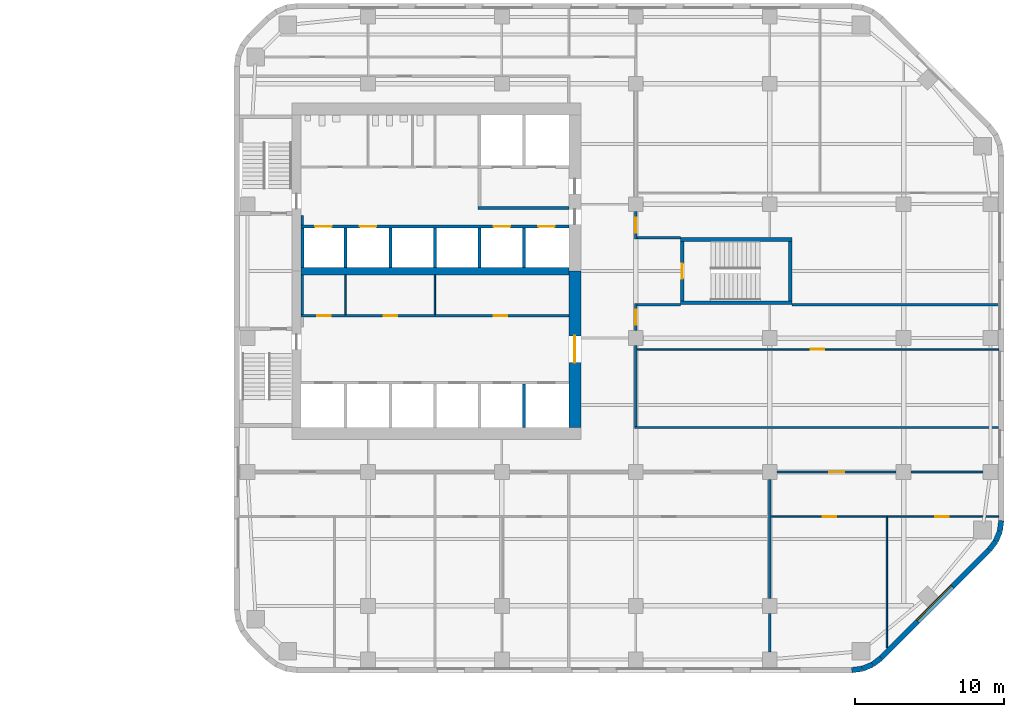
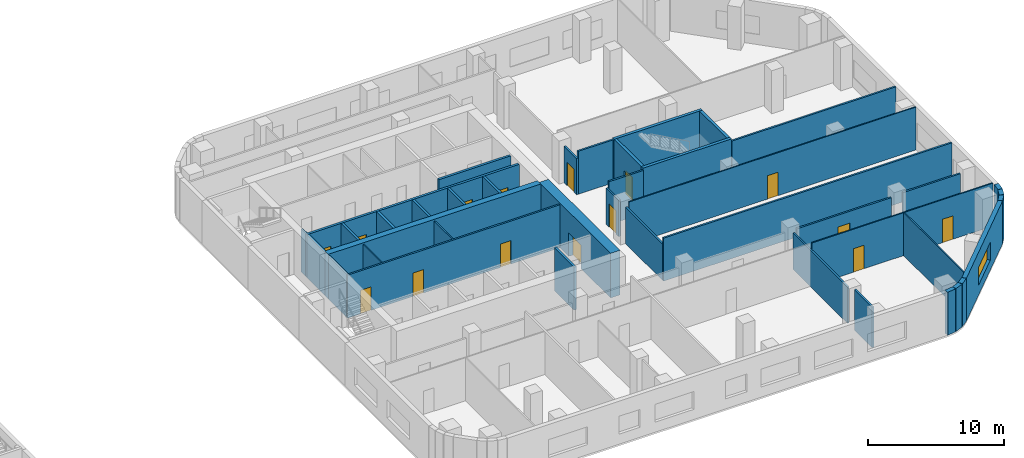
# One storey, part 9 of 15: 41 walls, 15 doors, 1 window, 16 openings.
"""IFC4 building model written with IfcOpenShell, lengths in metres."""

from ifc_helpers import new_model, si_unit, direction, frame, frame_2d, origin, place, context, subcontext, project, spatial, rectangle, extrude, material, layer, layer_set, type_object, element, fill, save


model = new_model("IFC4")

# Units and contexts
model_context = context("Model", 3, precision=1e-05, world=origin(), true_north=direction((0.0, 1.0)))
body_context = subcontext(model_context, "Body", "Model", "MODEL_VIEW")
ifc_project = project(units=[si_unit("LENGTHUNIT", "METRE"), si_unit("AREAUNIT", "SQUARE_METRE"), si_unit("VOLUMEUNIT", "CUBIC_METRE"), si_unit("PLANEANGLEUNIT", "RADIAN"), si_unit("MASSUNIT", "GRAM", prefix="KILO")], contexts=[model_context])

# Site, building, storey
site_placement = place(None, origin())
site = spatial("IfcSite", under=ifc_project, at=site_placement, CompositionType="ELEMENT")
building_placement = place(site_placement, origin())
building = spatial("IfcBuilding", under=site, at=building_placement, Name="Cinnabar Reach Civic Tower", CompositionType="ELEMENT")
storey_placement = place(building_placement, frame((0.0, 0.0, 120.0)))
storey = spatial("IfcBuildingStorey", under=building, at=storey_placement, Name="L28", CompositionType="ELEMENT", Elevation=120.0)

# Walls
ifc_material_1 = material(Name="Facing brick with insulated backing", Category="masonry")
ifc_layer_1 = layer(ifc_material_1, 0.36)
ifc_layer_set_1 = layer_set([ifc_layer_1], Name="Brick corner wall")
wall_type_1 = type_object("IfcWallType", Name="Brick corner wall", PredefinedType="STANDARD", material=ifc_layer_set_1)
for number, where, z_axis, x_axis, name in (
    (1, (41.5186, 4.683, 0.0), (0.0, 0.0, 1.0), (0.99144092581, 0.13055608231, 0.0), "Brick corner wall"),
    (2, (42.2473, 4.7819, 0.0), (0.0, 0.0, 1.0), (0.923871547278, 0.382702709855, 0.0), "Brick corner wall"),
):
    element("IfcWall", number, at=place(storey_placement, frame(where, z_axis=z_axis, x_axis=x_axis)), inside=storey, type_object=wall_type_1, Name=name, PredefinedType="STANDARD", context=body_context, shape_type="SweptSolid", body=[
        extrude(rectangle(XDim=0.7131, YDim=0.36, at=frame_2d((0.3565, 0.0))), origin(), (0.0, 0.0, 1.0), 3.85),
    ])
for number, where, z_axis, x_axis, name in (
    (3, (42.9255, 5.066, 0.0), (0.0, 0.0, 1.0), (0.793321924995, 0.608802368033, 0.0), "Brick corner wall"),
    (4, (50.7498, 12.7587, 0.0), (0.0, 0.0, 1.0), (0.608802368033, 0.793321924995, 0.0), "Brick corner wall"),
):
    element("IfcWall", number, at=place(storey_placement, frame(where, z_axis=z_axis, x_axis=x_axis)), inside=storey, type_object=wall_type_1, Name=name, PredefinedType="STANDARD", context=body_context, shape_type="SweptSolid", body=[
        extrude(rectangle(XDim=0.7132, YDim=0.36, at=frame_2d((0.3566, 0.0))), origin(), (0.0, 0.0, 1.0), 3.85),
    ])
for number, where, z_axis, x_axis, name in (
    (5, (51.1952, 13.3439, 0.0), (0.0, 0.0, 1.0), (0.382702709855, 0.923871547278, 0.0), "Brick corner wall"),
    (6, (51.4739, 14.0244, 0.0), (0.0, 0.0, 1.0), (0.13055608231, 0.99144092581, 0.0), "Brick corner wall"),
):
    element("IfcWall", number, at=place(storey_placement, frame(where, z_axis=z_axis, x_axis=x_axis)), inside=storey, type_object=wall_type_1, Name=name, PredefinedType="STANDARD", context=body_context, shape_type="SweptSolid", body=[
        extrude(rectangle(XDim=0.7131, YDim=0.36, at=frame_2d((0.3565, 0.0))), origin(), (0.0, 0.0, 1.0), 3.85),
    ])

# Wall, opening, window
ifc_layer_2 = layer(ifc_material_1, 0.36)
ifc_layer_set_2 = layer_set([ifc_layer_2], Name="Brick pier and spandrel wall")
wall_type_2 = type_object("IfcWallType", Name="Brick pier and spandrel wall", PredefinedType="STANDARD", material=ifc_layer_set_2)
wall_1_placement = place(storey_placement, frame((43.5014, 5.506, 0.0), z_axis=(0.0, 0.0, 1.0), x_axis=(0.707106781187, 0.707106781187, 0.0)))
wall_1 = element("IfcWall", 7, at=wall_1_placement, inside=storey, type_object=wall_type_2, Name="Brick facade wall", PredefinedType="STANDARD", context=body_context, shape_type="SweptSolid", body=[
    extrude(rectangle(XDim=10.2426, YDim=0.36, at=frame_2d((5.1213, 0.0))), origin(), (0.0, 0.0, 1.0), 3.85),
])
opening_1_placement = place(wall_1_placement, frame((3.4713, 0.0, 0.9)))
opening_1 = element("IfcOpeningElement", 8, at=opening_1_placement, cuts=wall_1, Name="Opening W1596", PredefinedType="OPENING", context=body_context, shape_type="SweptSolid", body=[
    extrude(rectangle(XDim=3.3, YDim=1.6, at=frame_2d((1.65, 0.8))), frame((0.0, 0.19, 0.0), z_axis=(0.0, -1.0, 0.0), x_axis=(1.0, 0.0, 0.0)), (0.0, 0.0, 1.0), 0.38),
])
ifc_material_2 = material(Name="Clear double glazing in aluminium frame", Category="aluminium")
window_type = type_object("IfcWindowType", Name="Deep-set window A", PartitioningType="SINGLE_PANEL", PredefinedType="WINDOW", material=ifc_material_2)
window_placement = place(opening_1_placement, origin())
window = element("IfcWindow", 9, at=window_placement, inside=storey, type_object=window_type, Name="Window southeast face", OverallHeight=1.6, OverallWidth=3.3, PartitioningType="SINGLE_PANEL", PredefinedType="WINDOW", context=body_context, shape_type="SweptSolid", body=[
    extrude(rectangle(XDim=3.3, YDim=1.6, at=frame_2d((1.65, 0.8))), frame((0.0, 0.13, 0.0), z_axis=(0.0, -1.0, 0.0), x_axis=(1.0, 0.0, 0.0)), (0.0, 0.0, 1.0), 0.06),
])
fill(opening_1, window)

# Wall
ifc_material_3 = material(Name="Concrete C60", Category="concrete")
ifc_layer_3 = layer(ifc_material_3, 0.5)
ifc_layer_set_3 = layer_set([ifc_layer_3], Name="Core wall 500 EI 180")
wall_type_3 = type_object("IfcWallType", Name="Core wall 500 EI 180", PredefinedType="SOLIDWALL", material=ifc_layer_set_3)
wall_2_placement = place(storey_placement, frame((4.5, 31.5, 0.0), z_axis=(0.0, 0.0, 1.0), x_axis=(1.0, 0.0, 0.0)))
element("IfcWall", 10, at=wall_2_placement, inside=storey, type_object=wall_type_3, Name="Core spine wall T1 L28", PredefinedType="SOLIDWALL", context=body_context, shape_type="SweptSolid", body=[
    extrude(rectangle(XDim=18.0, YDim=0.5, at=frame_2d((9.0, 0.0))), origin(), (0.0, 0.0, 1.0), 4.0),
])

# Wall, opening, door
ifc_material_4 = material(Name="Concrete C70", Category="concrete")
ifc_layer_4 = layer(ifc_material_4, 0.8)
ifc_layer_set_4 = layer_set([ifc_layer_4], Name="Core wall 800 EI 180")
wall_type_4 = type_object("IfcWallType", Name="Core wall 800 EI 180", PredefinedType="SOLIDWALL", material=ifc_layer_set_4)
wall_3_placement = place(storey_placement, frame((22.9, 21.0, 0.0), z_axis=(0.0, 0.0, 1.0), x_axis=(0.0, 1.0, 0.0)))
wall_3 = element("IfcWall", 11, at=wall_3_placement, inside=storey, type_object=wall_type_4, Name="Core wall T1 L28 E", PredefinedType="SOLIDWALL", context=body_context, shape_type="SweptSolid", body=[
    extrude(rectangle(XDim=10.5, YDim=0.8, at=frame_2d((5.25, 0.0))), origin(), (0.0, 0.0, 1.0), 4.0),
])
opening_2_placement = place(wall_3_placement, frame((4.35, 0.0, 0.0)))
opening_2 = element("IfcOpeningElement", 12, at=opening_2_placement, cuts=wall_3, Name="Opening D4142", PredefinedType="OPENING", context=body_context, shape_type="SweptSolid", body=[
    extrude(rectangle(XDim=1.8, YDim=2.1, at=frame_2d((0.9, 1.05))), frame((0.0, 0.41, 0.0), z_axis=(0.0, -1.0, 0.0), x_axis=(1.0, 0.0, 0.0)), (0.0, 0.0, 1.0), 0.82),
])
ifc_material_5 = material(Name="Timber door leaf in steel frame", Category="steel")
door_type_1 = type_object("IfcDoorType", Name="Double swing door 1800 x 2100 T1", OperationType="DOUBLE_DOOR_DOUBLE_SWING", PredefinedType="DOOR", material=ifc_material_5)
door_1_placement = place(opening_2_placement, origin())
door_1 = element("IfcDoor", 13, at=door_1_placement, inside=storey, type_object=door_type_1, Name="Door D4142", OperationType="DOUBLE_DOOR_DOUBLE_SWING", OverallHeight=2.1, OverallWidth=1.8, PredefinedType="DOOR", context=body_context, shape_type="SweptSolid", body=[
    extrude(rectangle(XDim=1.8, YDim=2.1, at=frame_2d((0.9, 1.05))), frame((0.0, 0.025, 0.0), z_axis=(0.0, -1.0, 0.0), x_axis=(1.0, 0.0, 0.0)), (0.0, 0.0, 1.0), 0.05),
])
fill(opening_2, door_1)

# Wall
ifc_material_6 = material(Name="Gypsum board on steel studs, double layer", Category="steel")
ifc_layer_5 = layer(ifc_material_6, 0.15)
ifc_layer_set_5 = layer_set([ifc_layer_5], Name="Corridor wall 150 T1")
wall_type_5 = type_object("IfcWallType", Name="Corridor wall 150 T1", PredefinedType="PARTITIONING", material=ifc_layer_set_5)
wall_4_placement = place(storey_placement, frame((45.5, 18.0, 0.0), z_axis=(0.0, 0.0, 1.0), x_axis=(1.0, 0.0, 0.0)))
element("IfcWall", 14, at=wall_4_placement, inside=storey, type_object=wall_type_5, Name="Corridor wall 19", PredefinedType="PARTITIONING", context=body_context, shape_type="SweptSolid", body=[
    extrude(rectangle(XDim=4.85, YDim=0.15, at=frame_2d((2.425, 0.0))), origin(), (0.0, 0.0, 1.0), 3.254),
])

# Wall, opening, door
wall_5_placement = place(storey_placement, frame((36.5, 18.0, 0.0), z_axis=(0.0, 0.0, 1.0), x_axis=(1.0, 0.0, 0.0)))
wall_5 = element("IfcWall", 15, at=wall_5_placement, inside=storey, type_object=wall_type_5, Name="Corridor wall 20", PredefinedType="PARTITIONING", context=body_context, shape_type="SweptSolid", body=[
    extrude(rectangle(XDim=8.0, YDim=0.15, at=frame_2d((4.0, 0.0))), origin(), (0.0, 0.0, 1.0), 3.158),
])
opening_3_placement = place(wall_5_placement, frame((3.5, 0.0, 0.0)))
opening_3 = element("IfcOpeningElement", 16, at=opening_3_placement, cuts=wall_5, Name="Opening D4166", PredefinedType="OPENING", context=body_context, shape_type="SweptSolid", body=[
    extrude(rectangle(XDim=1.0, YDim=2.1, at=frame_2d((0.5, 1.05))), frame((0.0, 0.085, 0.0), z_axis=(0.0, -1.0, 0.0), x_axis=(1.0, 0.0, 0.0)), (0.0, 0.0, 1.0), 0.17),
])
door_type_2 = type_object("IfcDoorType", Name="Tenancy entrance door 1000 x 2100 T1", OperationType="SINGLE_SWING_LEFT", PredefinedType="DOOR", material=ifc_material_5)
door_2_placement = place(opening_3_placement, frame((1.0, 0.0, 0.0), z_axis=(0.0, 0.0, 1.0), x_axis=(-1.0, 0.0, 0.0)))
door_2 = element("IfcDoor", 17, at=door_2_placement, inside=storey, type_object=door_type_2, Name="Door D4166", OperationType="SINGLE_SWING_LEFT", OverallHeight=2.1, OverallWidth=1.0, PredefinedType="DOOR", context=body_context, shape_type="SweptSolid", body=[
    extrude(rectangle(XDim=1.0, YDim=2.1, at=frame_2d((0.5, 1.05))), frame((0.0, 0.025, 0.0), z_axis=(0.0, -1.0, 0.0), x_axis=(1.0, 0.0, 0.0)), (0.0, 0.0, 1.0), 0.05),
])
fill(opening_3, door_2)

# Wall
wall_6_placement = place(storey_placement, frame((26.925, 21.0, 0.0), z_axis=(0.0, 0.0, 1.0), x_axis=(1.0, 0.0, 0.0)))
element("IfcWall", 18, at=wall_6_placement, inside=storey, type_object=wall_type_5, Name="Corridor wall 26", PredefinedType="PARTITIONING", context=body_context, shape_type="SweptSolid", body=[
    extrude(rectangle(XDim=24.465, YDim=0.15, at=frame_2d((12.2325, 0.0))), origin(), (0.0, 0.0, 1.0), 3.85),
])

# Wall, openings, doors
wall_7_placement = place(storey_placement, frame((4.5, 28.5, 0.0), z_axis=(0.0, 0.0, 1.0), x_axis=(1.0, 0.0, 0.0)))
wall_7 = element("IfcWall", 19, at=wall_7_placement, inside=storey, type_object=wall_type_5, Name="Corridor wall 28", PredefinedType="PARTITIONING", context=body_context, shape_type="SweptSolid", body=[
    extrude(rectangle(XDim=18.0, YDim=0.15, at=frame_2d((9.0, 0.0))), origin(), (0.0, 0.0, 1.0), 3.85),
])
opening_4_placement = place(wall_7_placement, frame((1.1, 0.0, 0.0)))
opening_4 = element("IfcOpeningElement", 20, at=opening_4_placement, cuts=wall_7, Name="Opening D4146", PredefinedType="OPENING", context=body_context, shape_type="SweptSolid", body=[
    extrude(rectangle(XDim=0.9, YDim=2.1, at=frame_2d((0.45, 1.05))), frame((0.0, 0.085, 0.0), z_axis=(0.0, -1.0, 0.0), x_axis=(1.0, 0.0, 0.0)), (0.0, 0.0, 1.0), 0.17),
])
opening_5_placement = place(wall_7_placement, frame((5.55, 0.0, 0.0)))
opening_5 = element("IfcOpeningElement", 21, at=opening_5_placement, cuts=wall_7, Name="Opening D4147", PredefinedType="OPENING", context=body_context, shape_type="SweptSolid", body=[
    extrude(rectangle(XDim=0.9, YDim=2.1, at=frame_2d((0.45, 1.05))), frame((0.0, 0.085, 0.0), z_axis=(0.0, -1.0, 0.0), x_axis=(1.0, 0.0, 0.0)), (0.0, 0.0, 1.0), 0.17),
])
opening_6_placement = place(wall_7_placement, frame((12.95, 0.0, 0.0)))
opening_6 = element("IfcOpeningElement", 22, at=opening_6_placement, cuts=wall_7, Name="Opening D4148", PredefinedType="OPENING", context=body_context, shape_type="SweptSolid", body=[
    extrude(rectangle(XDim=0.9, YDim=2.1, at=frame_2d((0.45, 1.05))), frame((0.0, 0.085, 0.0), z_axis=(0.0, -1.0, 0.0), x_axis=(1.0, 0.0, 0.0)), (0.0, 0.0, 1.0), 0.17),
])
door_type_3 = type_object("IfcDoorType", Name="Single swing door 900 x 2100 corridor T1", OperationType="SINGLE_SWING_LEFT", PredefinedType="DOOR", material=ifc_material_5)
door_3_placement = place(opening_4_placement, origin())
door_3 = element("IfcDoor", 23, at=door_3_placement, inside=storey, type_object=door_type_3, Name="Door D4146", OperationType="SINGLE_SWING_LEFT", OverallHeight=2.1, OverallWidth=0.9, PredefinedType="DOOR", context=body_context, shape_type="SweptSolid", body=[
    extrude(rectangle(XDim=0.9, YDim=2.1, at=frame_2d((0.45, 1.05))), frame((0.0, 0.025, 0.0), z_axis=(0.0, -1.0, 0.0), x_axis=(1.0, 0.0, 0.0)), (0.0, 0.0, 1.0), 0.05),
])
fill(opening_4, door_3)
door_4_placement = place(opening_5_placement, origin())
door_4 = element("IfcDoor", 24, at=door_4_placement, inside=storey, type_object=door_type_3, Name="Door D4147", OperationType="SINGLE_SWING_RIGHT", OverallHeight=2.1, OverallWidth=0.9, PredefinedType="DOOR", context=body_context, shape_type="SweptSolid", body=[
    extrude(rectangle(XDim=0.9, YDim=2.1, at=frame_2d((0.45, 1.05))), frame((0.0, 0.025, 0.0), z_axis=(0.0, -1.0, 0.0), x_axis=(1.0, 0.0, 0.0)), (0.0, 0.0, 1.0), 0.05),
])
fill(opening_5, door_4)
door_5_placement = place(opening_6_placement, origin())
door_5 = element("IfcDoor", 25, at=door_5_placement, inside=storey, type_object=door_type_3, Name="Door D4148", OperationType="SINGLE_SWING_LEFT", OverallHeight=2.1, OverallWidth=0.9, PredefinedType="DOOR", context=body_context, shape_type="SweptSolid", body=[
    extrude(rectangle(XDim=0.9, YDim=2.1, at=frame_2d((0.45, 1.05))), frame((0.0, 0.025, 0.0), z_axis=(0.0, -1.0, 0.0), x_axis=(1.0, 0.0, 0.0)), (0.0, 0.0, 1.0), 0.05),
])
fill(opening_6, door_5)

# Wall, opening, door
wall_8_placement = place(storey_placement, frame((27.0, 33.675, 0.0), z_axis=(0.0, 0.0, 1.0), x_axis=(0.0, 1.0, 0.0)))
wall_8 = element("IfcWall", 26, at=wall_8_placement, inside=storey, type_object=wall_type_5, Name="Corridor wall 29", PredefinedType="PARTITIONING", context=body_context, shape_type="SweptSolid", body=[
    extrude(rectangle(XDim=1.825, YDim=0.15, at=frame_2d((0.9125, 0.0))), origin(), (0.0, 0.0, 1.0), 3.256),
])
opening_7_placement = place(wall_8_placement, frame((0.4, 0.0, 0.0)))
opening_7 = element("IfcOpeningElement", 27, at=opening_7_placement, cuts=wall_8, Name="Opening D4153", PredefinedType="OPENING", context=body_context, shape_type="SweptSolid", body=[
    extrude(rectangle(XDim=1.0, YDim=2.1, at=frame_2d((0.5, 1.05))), frame((0.0, 0.085, 0.0), z_axis=(0.0, -1.0, 0.0), x_axis=(1.0, 0.0, 0.0)), (0.0, 0.0, 1.0), 0.17),
])
door_6_placement = place(opening_7_placement, frame((1.0, 0.0, 0.0), z_axis=(0.0, 0.0, 1.0), x_axis=(-1.0, 0.0, 0.0)))
door_6 = element("IfcDoor", 28, at=door_6_placement, inside=storey, type_object=door_type_2, Name="Door D4153", OperationType="SINGLE_SWING_RIGHT", OverallHeight=2.1, OverallWidth=1.0, PredefinedType="DOOR", context=body_context, shape_type="SweptSolid", body=[
    extrude(rectangle(XDim=1.0, YDim=2.1, at=frame_2d((0.5, 1.05))), frame((0.0, 0.025, 0.0), z_axis=(0.0, -1.0, 0.0), x_axis=(1.0, 0.0, 0.0)), (0.0, 0.0, 1.0), 0.05),
])
fill(opening_7, door_6)

# Wall
wall_9_placement = place(storey_placement, frame((27.0, 21.075, 0.0), z_axis=(0.0, 0.0, 1.0), x_axis=(0.0, 1.0, 0.0)))
element("IfcWall", 29, at=wall_9_placement, inside=storey, type_object=wall_type_5, Name="Corridor wall 33", PredefinedType="PARTITIONING", context=body_context, shape_type="SweptSolid", body=[
    extrude(rectangle(XDim=5.425, YDim=0.15, at=frame_2d((2.7125, 0.0))), origin(), (0.0, 0.0, 1.0), 3.256),
])

# Wall, opening, door
wall_10_placement = place(storey_placement, frame((27.0, 27.5, 0.0), z_axis=(0.0, 0.0, 1.0), x_axis=(0.0, 1.0, 0.0)))
wall_10 = element("IfcWall", 30, at=wall_10_placement, inside=storey, type_object=wall_type_5, Name="Corridor wall 34", PredefinedType="PARTITIONING", context=body_context, shape_type="SweptSolid", body=[
    extrude(rectangle(XDim=1.825, YDim=0.15, at=frame_2d((0.9125, 0.0))), origin(), (0.0, 0.0, 1.0), 3.256),
])
opening_8_placement = place(wall_10_placement, frame((0.4, 0.0, 0.0)))
opening_8 = element("IfcOpeningElement", 31, at=opening_8_placement, cuts=wall_10, Name="Opening D4156", PredefinedType="OPENING", context=body_context, shape_type="SweptSolid", body=[
    extrude(rectangle(XDim=1.0, YDim=2.1, at=frame_2d((0.5, 1.05))), frame((0.0, 0.085, 0.0), z_axis=(0.0, -1.0, 0.0), x_axis=(1.0, 0.0, 0.0)), (0.0, 0.0, 1.0), 0.17),
])
door_7_placement = place(opening_8_placement, frame((1.0, 0.0, 0.0), z_axis=(0.0, 0.0, 1.0), x_axis=(-1.0, 0.0, 0.0)))
door_7 = element("IfcDoor", 32, at=door_7_placement, inside=storey, type_object=door_type_2, Name="Door D4156", OperationType="SINGLE_SWING_LEFT", OverallHeight=2.1, OverallWidth=1.0, PredefinedType="DOOR", context=body_context, shape_type="SweptSolid", body=[
    extrude(rectangle(XDim=1.0, YDim=2.1, at=frame_2d((0.5, 1.05))), frame((0.0, 0.025, 0.0), z_axis=(0.0, -1.0, 0.0), x_axis=(1.0, 0.0, 0.0)), (0.0, 0.0, 1.0), 0.05),
])
fill(opening_8, door_7)

# Walls
wall_11_placement = place(storey_placement, frame((4.575, 28.575, 0.0), z_axis=(0.0, 0.0, 1.0), x_axis=(0.0, 1.0, 0.0)))
element("IfcWall", 33, at=wall_11_placement, inside=storey, type_object=wall_type_5, Name="Corridor wall 36", PredefinedType="PARTITIONING", context=body_context, shape_type="SweptSolid", body=[
    extrude(rectangle(XDim=2.675, YDim=0.15, at=frame_2d((1.3375, 0.0))), origin(), (0.0, 0.0, 1.0), 3.85),
])
for number, where, z_axis, x_axis, name in (
    (34, (27.075, 29.25, 0.0), (0.0, 0.0, 1.0), (1.0, 0.0, 0.0), "Corridor wall 37"),
    (35, (27.075, 33.75, 0.0), (0.0, 0.0, 1.0), (1.0, 0.0, 0.0), "Corridor wall 38"),
):
    element("IfcWall", number, at=place(storey_placement, frame(where, z_axis=z_axis, x_axis=x_axis)), inside=storey, type_object=wall_type_5, Name=name, PredefinedType="PARTITIONING", context=body_context, shape_type="SweptSolid", body=[
        extrude(rectangle(XDim=2.925, YDim=0.15, at=frame_2d((1.4625, 0.0))), origin(), (0.0, 0.0, 1.0), 3.85),
    ])
wall_12_placement = place(storey_placement, frame((4.575, 34.6, 0.0), z_axis=(0.0, 0.0, 1.0), x_axis=(0.0, 1.0, 0.0)))
element("IfcWall", 36, at=wall_12_placement, inside=storey, type_object=wall_type_5, Name="Corridor wall 40", PredefinedType="PARTITIONING", context=body_context, shape_type="SweptSolid", body=[
    extrude(rectangle(XDim=0.65, YDim=0.15, at=frame_2d((0.325, 0.0))), origin(), (0.0, 0.0, 1.0), 3.85),
])

# Wall, openings, doors
ifc_material_7 = material(Name="Blockwork", Category="masonry")
ifc_layer_6 = layer(ifc_material_7, 0.2)
ifc_layer_set_6 = layer_set([ifc_layer_6], Name="Lift shaft wall 200 T1")
wall_type_6 = type_object("IfcWallType", Name="Lift shaft wall 200 T1", PredefinedType="PARTITIONING", material=ifc_layer_set_6)
wall_13_placement = place(storey_placement, frame((4.5, 34.5, 0.0), z_axis=(0.0, 0.0, 1.0), x_axis=(1.0, 0.0, 0.0)))
wall_13 = element("IfcWall", 37, at=wall_13_placement, inside=storey, type_object=wall_type_6, Name="Lift shaft wall 5", PredefinedType="PARTITIONING", context=body_context, shape_type="SweptSolid", body=[
    extrude(rectangle(XDim=18.0, YDim=0.2, at=frame_2d((9.0, 0.0))), origin(), (0.0, 0.0, 1.0), 3.85),
])
opening_9_placement = place(wall_13_placement, frame((0.95, 0.0, 0.0)))
opening_9 = element("IfcOpeningElement", 38, at=opening_9_placement, cuts=wall_13, Name="Opening D4136", PredefinedType="OPENING", context=body_context, shape_type="SweptSolid", body=[
    extrude(rectangle(XDim=1.1, YDim=2.1, at=frame_2d((0.55, 1.05))), frame((0.0, 0.11, 0.0), z_axis=(0.0, -1.0, 0.0), x_axis=(1.0, 0.0, 0.0)), (0.0, 0.0, 1.0), 0.22),
])
opening_10_placement = place(wall_13_placement, frame((3.95, 0.0, 0.0)))
opening_10 = element("IfcOpeningElement", 39, at=opening_10_placement, cuts=wall_13, Name="Opening D4137", PredefinedType="OPENING", context=body_context, shape_type="SweptSolid", body=[
    extrude(rectangle(XDim=1.1, YDim=2.1, at=frame_2d((0.55, 1.05))), frame((0.0, 0.11, 0.0), z_axis=(0.0, -1.0, 0.0), x_axis=(1.0, 0.0, 0.0)), (0.0, 0.0, 1.0), 0.22),
])
opening_11_placement = place(wall_13_placement, frame((12.95, 0.0, 0.0)))
opening_11 = element("IfcOpeningElement", 40, at=opening_11_placement, cuts=wall_13, Name="Opening D4138", PredefinedType="OPENING", context=body_context, shape_type="SweptSolid", body=[
    extrude(rectangle(XDim=1.1, YDim=2.1, at=frame_2d((0.55, 1.05))), frame((0.0, 0.11, 0.0), z_axis=(0.0, -1.0, 0.0), x_axis=(1.0, 0.0, 0.0)), (0.0, 0.0, 1.0), 0.22),
])
opening_12_placement = place(wall_13_placement, frame((15.95, 0.0, 0.0)))
opening_12 = element("IfcOpeningElement", 41, at=opening_12_placement, cuts=wall_13, Name="Opening D4139", PredefinedType="OPENING", context=body_context, shape_type="SweptSolid", body=[
    extrude(rectangle(XDim=1.1, YDim=2.1, at=frame_2d((0.55, 1.05))), frame((0.0, 0.11, 0.0), z_axis=(0.0, -1.0, 0.0), x_axis=(1.0, 0.0, 0.0)), (0.0, 0.0, 1.0), 0.22),
])
ifc_material_8 = material(Name="Stainless steel sliding door", Category="steel")
door_type_4 = type_object("IfcDoorType", Name="Lift landing door 1100 x 2100 T1", OperationType="SLIDING_TO_LEFT", PredefinedType="DOOR", material=ifc_material_8)
door_8_placement = place(opening_9_placement, origin())
door_8 = element("IfcDoor", 42, at=door_8_placement, inside=storey, type_object=door_type_4, Name="Lift landing door SH1 L28", OperationType="SLIDING_TO_LEFT", OverallHeight=2.1, OverallWidth=1.1, PredefinedType="DOOR", context=body_context, shape_type="SweptSolid", body=[
    extrude(rectangle(XDim=1.1, YDim=2.1, at=frame_2d((0.55, 1.05))), frame((0.0, 0.025, 0.0), z_axis=(0.0, -1.0, 0.0), x_axis=(1.0, 0.0, 0.0)), (0.0, 0.0, 1.0), 0.05),
])
fill(opening_9, door_8)
door_9_placement = place(opening_10_placement, origin())
door_9 = element("IfcDoor", 43, at=door_9_placement, inside=storey, type_object=door_type_4, Name="Lift landing door SH2 L28", OperationType="SLIDING_TO_LEFT", OverallHeight=2.1, OverallWidth=1.1, PredefinedType="DOOR", context=body_context, shape_type="SweptSolid", body=[
    extrude(rectangle(XDim=1.1, YDim=2.1, at=frame_2d((0.55, 1.05))), frame((0.0, 0.025, 0.0), z_axis=(0.0, -1.0, 0.0), x_axis=(1.0, 0.0, 0.0)), (0.0, 0.0, 1.0), 0.05),
])
fill(opening_10, door_9)
door_10_placement = place(opening_11_placement, origin())
door_10 = element("IfcDoor", 44, at=door_10_placement, inside=storey, type_object=door_type_4, Name="Lift landing door SV1 L28", OperationType="SLIDING_TO_LEFT", OverallHeight=2.1, OverallWidth=1.1, PredefinedType="DOOR", context=body_context, shape_type="SweptSolid", body=[
    extrude(rectangle(XDim=1.1, YDim=2.1, at=frame_2d((0.55, 1.05))), frame((0.0, 0.025, 0.0), z_axis=(0.0, -1.0, 0.0), x_axis=(1.0, 0.0, 0.0)), (0.0, 0.0, 1.0), 0.05),
])
fill(opening_11, door_10)
door_11_placement = place(opening_12_placement, origin())
door_11 = element("IfcDoor", 45, at=door_11_placement, inside=storey, type_object=door_type_4, Name="Lift landing door SV2 L28", OperationType="SLIDING_TO_LEFT", OverallHeight=2.1, OverallWidth=1.1, PredefinedType="DOOR", context=body_context, shape_type="SweptSolid", body=[
    extrude(rectangle(XDim=1.1, YDim=2.1, at=frame_2d((0.55, 1.05))), frame((0.0, 0.025, 0.0), z_axis=(0.0, -1.0, 0.0), x_axis=(1.0, 0.0, 0.0)), (0.0, 0.0, 1.0), 0.05),
])
fill(opening_12, door_11)

# Walls
for number, where, z_axis, x_axis, name in (
    (46, (4.6, 31.75, 0.0), (0.0, 0.0, 1.0), (0.0, 1.0, 0.0), "Lift shaft wall 8"),
    (47, (7.5, 31.75, 0.0), (0.0, 0.0, 1.0), (0.0, 1.0, 0.0), "Lift shaft wall 10"),
    (48, (10.5, 31.75, 0.0), (0.0, 0.0, 1.0), (0.0, 1.0, 0.0), "Lift shaft wall 12"),
    (49, (13.5, 31.75, 0.0), (0.0, 0.0, 1.0), (0.0, 1.0, 0.0), "Lift shaft wall 14"),
    (50, (16.5, 31.75, 0.0), (0.0, 0.0, 1.0), (0.0, 1.0, 0.0), "Lift shaft wall 16"),
):
    element("IfcWall", number, at=place(storey_placement, frame(where, z_axis=z_axis, x_axis=x_axis)), inside=storey, type_object=wall_type_6, Name=name, PredefinedType="PARTITIONING", context=body_context, shape_type="SweptSolid", body=[
        extrude(rectangle(XDim=2.65, YDim=0.2, at=frame_2d((1.325, 0.0))), origin(), (0.0, 0.0, 1.0), 3.85),
    ])
wall_14_placement = place(storey_placement, frame((19.5, 21.0, 0.0), z_axis=(0.0, 0.0, 1.0), x_axis=(0.0, 1.0, 0.0)))
element("IfcWall", 51, at=wall_14_placement, inside=storey, type_object=wall_type_6, Name="Lift shaft wall 17", PredefinedType="PARTITIONING", context=body_context, shape_type="SweptSolid", body=[
    extrude(rectangle(XDim=2.9, YDim=0.2, at=frame_2d((1.45, 0.0))), origin(), (0.0, 0.0, 1.0), 3.85),
])
wall_15_placement = place(storey_placement, frame((19.5, 31.75, 0.0), z_axis=(0.0, 0.0, 1.0), x_axis=(0.0, 1.0, 0.0)))
element("IfcWall", 52, at=wall_15_placement, inside=storey, type_object=wall_type_6, Name="Lift shaft wall 18", PredefinedType="PARTITIONING", context=body_context, shape_type="SweptSolid", body=[
    extrude(rectangle(XDim=2.65, YDim=0.2, at=frame_2d((1.325, 0.0))), origin(), (0.0, 0.0, 1.0), 3.85),
])

# Wall, openings, doors
ifc_material_9 = material(Name="Gypsum board on steel studs", Category="steel")
ifc_layer_7 = layer(ifc_material_9, 0.1)
ifc_layer_set_7 = layer_set([ifc_layer_7], Name="Partition wall 100 T1")
wall_type_7 = type_object("IfcWallType", Name="Partition wall 100 T1", PredefinedType="PARTITIONING", material=ifc_layer_set_7)
wall_16_placement = place(storey_placement, frame((36.075, 15.0, 0.0), z_axis=(0.0, 0.0, 1.0), x_axis=(1.0, 0.0, 0.0)))
wall_16 = element("IfcWall", 53, at=wall_16_placement, inside=storey, type_object=wall_type_7, Name="Partition wall 47", PredefinedType="PARTITIONING", context=body_context, shape_type="SweptSolid", body=[
    extrude(rectangle(XDim=15.315, YDim=0.1, at=frame_2d((7.6575, 0.0))), origin(), (0.0, 0.0, 1.0), 3.85),
])
opening_13_placement = place(wall_16_placement, frame((3.5, 0.0, 0.0)))
opening_13 = element("IfcOpeningElement", 54, at=opening_13_placement, cuts=wall_16, Name="Opening D4167", PredefinedType="OPENING", context=body_context, shape_type="SweptSolid", body=[
    extrude(rectangle(XDim=0.9, YDim=2.1, at=frame_2d((0.45, 1.05))), frame((0.0, 0.06, 0.0), z_axis=(0.0, -1.0, 0.0), x_axis=(1.0, 0.0, 0.0)), (0.0, 0.0, 1.0), 0.12),
])
opening_14_placement = place(wall_16_placement, frame((11.05, 0.0, 0.0)))
opening_14 = element("IfcOpeningElement", 55, at=opening_14_placement, cuts=wall_16, Name="Opening D4168", PredefinedType="OPENING", context=body_context, shape_type="SweptSolid", body=[
    extrude(rectangle(XDim=0.9, YDim=2.1, at=frame_2d((0.45, 1.05))), frame((0.0, 0.06, 0.0), z_axis=(0.0, -1.0, 0.0), x_axis=(1.0, 0.0, 0.0)), (0.0, 0.0, 1.0), 0.12),
])
door_type_5 = type_object("IfcDoorType", Name="Single swing door 900 x 2100 T1", OperationType="SINGLE_SWING_LEFT", PredefinedType="DOOR", material=ifc_material_5)
door_12_placement = place(opening_13_placement, origin())
door_12 = element("IfcDoor", 56, at=door_12_placement, inside=storey, type_object=door_type_5, Name="Door D4167", OperationType="SINGLE_SWING_LEFT", OverallHeight=2.1, OverallWidth=0.9, PredefinedType="DOOR", context=body_context, shape_type="SweptSolid", body=[
    extrude(rectangle(XDim=0.9, YDim=2.1, at=frame_2d((0.45, 1.05))), frame((0.0, 0.025, 0.0), z_axis=(0.0, -1.0, 0.0), x_axis=(1.0, 0.0, 0.0)), (0.0, 0.0, 1.0), 0.05),
])
fill(opening_13, door_12)
door_13_placement = place(opening_14_placement, frame((0.9, 0.0, 0.0), z_axis=(0.0, 0.0, 1.0), x_axis=(-1.0, 0.0, 0.0)))
door_13 = element("IfcDoor", 57, at=door_13_placement, inside=storey, type_object=door_type_5, Name="Door D4168", OperationType="SINGLE_SWING_LEFT", OverallHeight=2.1, OverallWidth=0.9, PredefinedType="DOOR", context=body_context, shape_type="SweptSolid", body=[
    extrude(rectangle(XDim=0.9, YDim=2.1, at=frame_2d((0.45, 1.05))), frame((0.0, 0.025, 0.0), z_axis=(0.0, -1.0, 0.0), x_axis=(1.0, 0.0, 0.0)), (0.0, 0.0, 1.0), 0.05),
])
fill(opening_14, door_13)

# Wall, opening, door
wall_17_placement = place(storey_placement, frame((27.075, 26.25, 0.0), z_axis=(0.0, 0.0, 1.0), x_axis=(1.0, 0.0, 0.0)))
wall_17 = element("IfcWall", 58, at=wall_17_placement, inside=storey, type_object=wall_type_7, Name="Partition wall 51", PredefinedType="PARTITIONING", context=body_context, shape_type="SweptSolid", body=[
    extrude(rectangle(XDim=24.315, YDim=0.1, at=frame_2d((12.1575, 0.0))), origin(), (0.0, 0.0, 1.0), 3.85),
])
opening_15_placement = place(wall_17_placement, frame((11.7, 0.0, 0.0)))
opening_15 = element("IfcOpeningElement", 59, at=opening_15_placement, cuts=wall_17, Name="Opening D4157", PredefinedType="OPENING", context=body_context, shape_type="SweptSolid", body=[
    extrude(rectangle(XDim=0.9, YDim=2.1, at=frame_2d((0.45, 1.05))), frame((0.0, 0.06, 0.0), z_axis=(0.0, -1.0, 0.0), x_axis=(1.0, 0.0, 0.0)), (0.0, 0.0, 1.0), 0.12),
])
door_14_placement = place(opening_15_placement, origin())
door_14 = element("IfcDoor", 60, at=door_14_placement, inside=storey, type_object=door_type_5, Name="Door D4157", OperationType="SINGLE_SWING_LEFT", OverallHeight=2.1, OverallWidth=0.9, PredefinedType="DOOR", context=body_context, shape_type="SweptSolid", body=[
    extrude(rectangle(XDim=0.9, YDim=2.1, at=frame_2d((0.45, 1.05))), frame((0.0, 0.025, 0.0), z_axis=(0.0, -1.0, 0.0), x_axis=(1.0, 0.0, 0.0)), (0.0, 0.0, 1.0), 0.05),
])
fill(opening_15, door_14)

# Walls
wall_18_placement = place(storey_placement, frame((43.875, 6.1841, 0.0), z_axis=(0.0, 0.0, 1.0), x_axis=(0.0, 1.0, 0.0)))
element("IfcWall", 61, at=wall_18_placement, inside=storey, type_object=wall_type_7, Name="Partition wall 57", PredefinedType="PARTITIONING", context=body_context, shape_type="SweptSolid", body=[
    extrude(rectangle(XDim=8.7659, YDim=0.1, at=frame_2d((4.383, 0.0))), origin(), (0.0, 0.0, 1.0), 3.85),
])
for number, where, z_axis, x_axis, name in (
    (62, (7.5, 28.575, 0.0), (0.0, 0.0, 1.0), (0.0, 1.0, 0.0), "Partition wall 63"),
    (63, (13.5, 28.575, 0.0), (0.0, 0.0, 1.0), (0.0, 1.0, 0.0), "Partition wall 64"),
):
    element("IfcWall", number, at=place(storey_placement, frame(where, z_axis=z_axis, x_axis=x_axis)), inside=storey, type_object=wall_type_7, Name=name, PredefinedType="PARTITIONING", context=body_context, shape_type="SweptSolid", body=[
        extrude(rectangle(XDim=2.675, YDim=0.1, at=frame_2d((1.3375, 0.0))), origin(), (0.0, 0.0, 1.0), 3.85),
    ])
ifc_material_10 = material(Name="Concrete C40", Category="concrete")
ifc_layer_8 = layer(ifc_material_10, 0.2)
ifc_layer_set_8 = layer_set([ifc_layer_8], Name="Refuge compartment wall 200 T1")
wall_type_8 = type_object("IfcWallType", Name="Refuge compartment wall 200 T1", PredefinedType="PARTITIONING", material=ifc_layer_set_8)
wall_19_placement = place(storey_placement, frame((16.4, 35.75, 0.0), z_axis=(0.0, 0.0, 1.0), x_axis=(1.0, 0.0, 0.0)))
element("IfcWall", 64, at=wall_19_placement, inside=storey, type_object=wall_type_8, Name="Refuge compartment wall 1", PredefinedType="PARTITIONING", context=body_context, shape_type="SweptSolid", body=[
    extrude(rectangle(XDim=6.1, YDim=0.2, at=frame_2d((3.05, 0.0))), origin(), (0.0, 0.0, 1.0), 3.85),
])
ifc_layer_9 = layer(ifc_material_3, 0.25)
ifc_layer_set_9 = layer_set([ifc_layer_9], Name="Stair shaft wall 250 EI 120")
wall_type_9 = type_object("IfcWallType", Name="Stair shaft wall 250 EI 120", PredefinedType="SOLIDWALL", material=ifc_layer_set_9)
for number, where, z_axis, x_axis, name in (
    (65, (30.0, 29.375, 0.0), (0.0, 0.0, 1.0), (1.0, 0.0, 0.0), "Stair shaft wall T1-S3 L28"),
    (66, (37.5, 33.625, 0.0), (0.0, 0.0, 1.0), (-1.0, 0.0, 0.0), "Stair shaft wall T1-S3 L28"),
):
    element("IfcWall", number, at=place(storey_placement, frame(where, z_axis=z_axis, x_axis=x_axis)), inside=storey, type_object=wall_type_9, Name=name, PredefinedType="SOLIDWALL", context=body_context, shape_type="SweptSolid", body=[
        extrude(rectangle(XDim=7.5, YDim=0.25, at=frame_2d((3.75, 0.0))), origin(), (0.0, 0.0, 1.0), 4.0),
    ])
wall_20_placement = place(storey_placement, frame((37.375, 29.5, 0.0), z_axis=(0.0, 0.0, 1.0), x_axis=(0.0, 1.0, 0.0)))
element("IfcWall", 67, at=wall_20_placement, inside=storey, type_object=wall_type_9, Name="Stair shaft wall T1-S3 L28", PredefinedType="SOLIDWALL", context=body_context, shape_type="SweptSolid", body=[
    extrude(rectangle(XDim=4.0, YDim=0.25, at=frame_2d((2.0, 0.0))), origin(), (0.0, 0.0, 1.0), 4.0),
])

# Wall, opening, door
wall_21_placement = place(storey_placement, frame((30.125, 33.5, 0.0), z_axis=(0.0, 0.0, 1.0), x_axis=(0.0, -1.0, 0.0)))
wall_21 = element("IfcWall", 68, at=wall_21_placement, inside=storey, type_object=wall_type_9, Name="Stair shaft wall T1-S3 L28", PredefinedType="SOLIDWALL", context=body_context, shape_type="SweptSolid", body=[
    extrude(rectangle(XDim=4.0, YDim=0.25, at=frame_2d((2.0, 0.0))), origin(), (0.0, 0.0, 1.0), 4.0),
])
opening_16_placement = place(wall_21_placement, frame((1.5, 0.0, 0.0)))
opening_16 = element("IfcOpeningElement", 69, at=opening_16_placement, cuts=wall_21, Name="Opening D4145", PredefinedType="OPENING", context=body_context, shape_type="SweptSolid", body=[
    extrude(rectangle(XDim=1.0, YDim=2.1, at=frame_2d((0.5, 1.05))), frame((0.0, 0.135, 0.0), z_axis=(0.0, -1.0, 0.0), x_axis=(1.0, 0.0, 0.0)), (0.0, 0.0, 1.0), 0.27),
])
door_type_6 = type_object("IfcDoorType", Name="Stair door 1000 x 2100 T1", OperationType="SINGLE_SWING_LEFT", PredefinedType="DOOR", material=ifc_material_5)
door_15_placement = place(opening_16_placement, origin())
door_15 = element("IfcDoor", 70, at=door_15_placement, inside=storey, type_object=door_type_6, Name="Door D4145", OperationType="SINGLE_SWING_LEFT", OverallHeight=2.1, OverallWidth=1.0, PredefinedType="DOOR", context=body_context, shape_type="SweptSolid", body=[
    extrude(rectangle(XDim=1.0, YDim=2.1, at=frame_2d((0.5, 1.05))), frame((0.0, 0.025, 0.0), z_axis=(0.0, -1.0, 0.0), x_axis=(1.0, 0.0, 0.0)), (0.0, 0.0, 1.0), 0.05),
])
fill(opening_16, door_15)

# Walls
ifc_layer_10 = layer(ifc_material_6, 0.15)
ifc_layer_set_10 = layer_set([ifc_layer_10], Name="Tenancy separating wall 150 T1")
wall_type_10 = type_object("IfcWallType", Name="Tenancy separating wall 150 T1", PredefinedType="PARTITIONING", material=ifc_layer_set_10)
wall_22_placement = place(storey_placement, frame((37.5, 29.25, 0.0), z_axis=(0.0, 0.0, 1.0), x_axis=(1.0, 0.0, 0.0)))
element("IfcWall", 71, at=wall_22_placement, inside=storey, type_object=wall_type_10, Name="Tenancy separating wall 42", PredefinedType="PARTITIONING", context=body_context, shape_type="SweptSolid", body=[
    extrude(rectangle(XDim=13.89, YDim=0.15, at=frame_2d((6.945, 0.0))), origin(), (0.0, 0.0, 1.0), 3.85),
])
wall_23_placement = place(storey_placement, frame((36.0, 5.9, 0.0), z_axis=(0.0, 0.0, 1.0), x_axis=(0.0, 1.0, 0.0)))
element("IfcWall", 72, at=wall_23_placement, inside=storey, type_object=wall_type_10, Name="Tenancy separating wall 45", PredefinedType="PARTITIONING", context=body_context, shape_type="SweptSolid", body=[
    extrude(rectangle(XDim=2.6, YDim=0.15, at=frame_2d((1.3, 0.0))), origin(), (0.0, 0.0, 1.0), 3.652),
])
wall_24_placement = place(storey_placement, frame((36.0, 9.5, 0.0), z_axis=(0.0, 0.0, 1.0), x_axis=(0.0, 1.0, 0.0)))
element("IfcWall", 73, at=wall_24_placement, inside=storey, type_object=wall_type_10, Name="Tenancy separating wall 46", PredefinedType="PARTITIONING", context=body_context, shape_type="SweptSolid", body=[
    extrude(rectangle(XDim=8.0, YDim=0.15, at=frame_2d((4.0, 0.0))), origin(), (0.0, 0.0, 1.0), 3.256),
])

save(model, "model.ifc")
